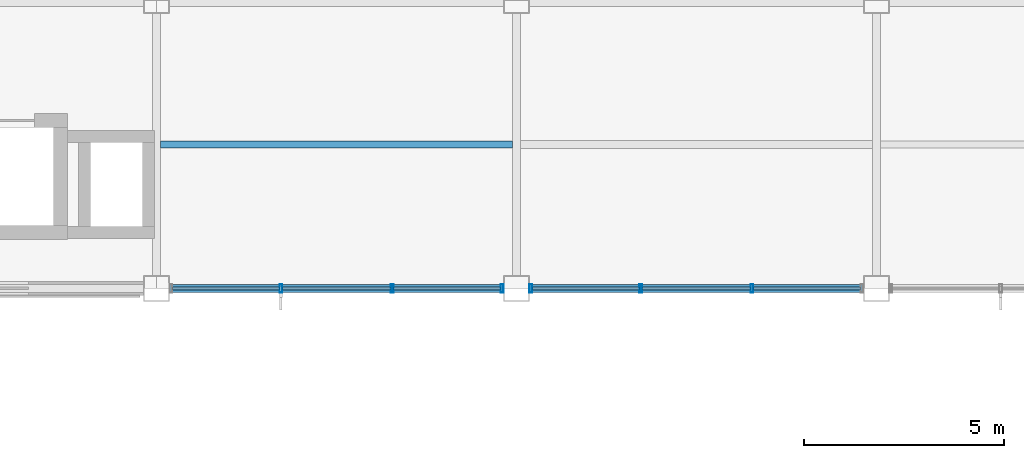
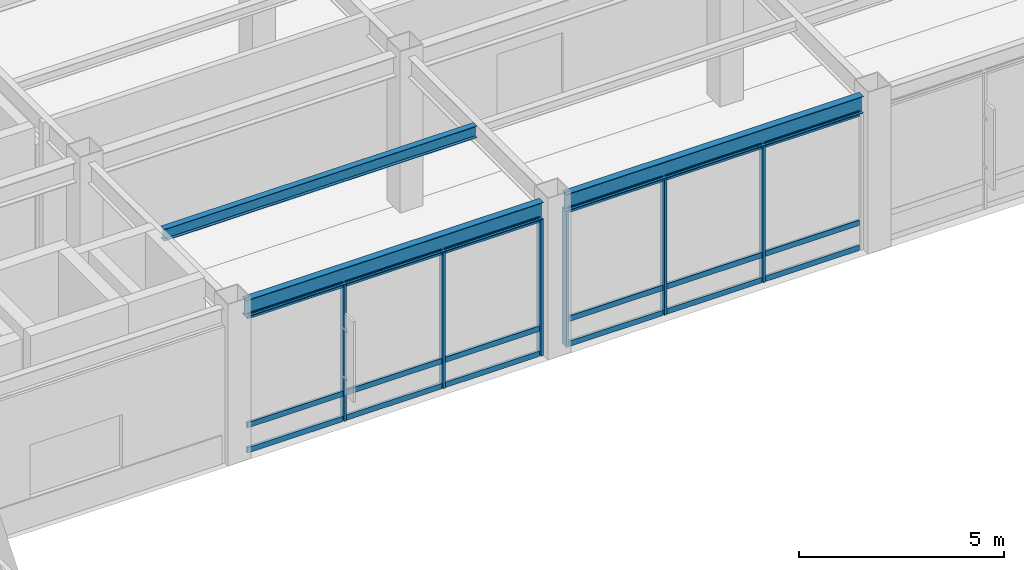
# One storey, part 58 of 112: 24 members, 3 beams, 2 elements without a shape of their own.
"""IFC4 building model written with IfcOpenShell, lengths in metres."""

from ifc_helpers import new_model, si_unit, direction, frame, origin, origin_2d, place, context, subcontext, project, spatial, hollow_rectangle, i_section, extrude, material, material_profile, profile_set, type_object, element, aggregate, save


model = new_model("IFC4")

# Units and contexts
model_context = context("Model", 3, precision=1e-05, world=origin(), true_north=direction((0.0, 1.0)))
body_context = subcontext(model_context, "Body", "Model", "MODEL_VIEW")
ifc_project = project(units=[si_unit("LENGTHUNIT", "METRE"), si_unit("AREAUNIT", "SQUARE_METRE"), si_unit("VOLUMEUNIT", "CUBIC_METRE"), si_unit("PLANEANGLEUNIT", "RADIAN"), si_unit("MASSUNIT", "GRAM", prefix="KILO")], contexts=[model_context])

# Site, building, storey
site_placement = place(None, origin())
site = spatial("IfcSite", under=ifc_project, at=site_placement, CompositionType="ELEMENT")
building_placement = place(site_placement, origin())
building = spatial("IfcBuilding", under=site, at=building_placement, Name="Kazanami Central Library", CompositionType="ELEMENT")
storey_placement = place(building_placement, origin())
storey = spatial("IfcBuildingStorey", under=building, at=storey_placement, Name="L01", CompositionType="ELEMENT", Elevation=0.0)

# Beams
ifc_material_1 = material(Name="Steel SN400B (235 MPa)", Category="steel")
ifc_material_profile_1 = material_profile(ifc_material_1, i_section(OverallWidth=0.175048828125, OverallDepth=0.35009765625, WebThickness=0.007080078125, FlangeThickness=0.010986328125, at=origin_2d()), Name="H-350x175x7x11")
ifc_profile_set_1 = profile_set([ifc_material_profile_1], Name="Steel SN400B (235 MPa)")
beam_type_1 = type_object("IfcBeamType", Name="BM-B-S2", PredefinedType="JOIST", material=ifc_profile_set_1)
beam_placement = place(storey_placement, frame((63.097900390625, 68.39990234375, 4.3798828125), z_axis=(1.0, 0.0, 0.0), x_axis=(0.0, 1.0, 0.0)))
element("IfcBeam", 1, at=beam_placement, inside=storey, type_object=beam_type_1, Name="Composite Secondary Joist B-S2 L01 Bay 8/K.1", PredefinedType="JOIST", context=body_context, shape_type="SweptSolid", body=[
    extrude(i_section(OverallWidth=0.175048828125, OverallDepth=0.35009765625, WebThickness=0.007080078125, FlangeThickness=0.010986328125, at=origin_2d()), origin(), (0.0, 0.0, 1.0), 8.80419921875),
])
ifc_material_2 = material(Name="Steel SN490B (325 MPa)", Category="steel")
ifc_material_profile_2 = material_profile(ifc_material_2, i_section(OverallWidth=0.199951171875, OverallDepth=0.5, WebThickness=0.010009765625, FlangeThickness=0.01611328125, at=origin_2d()), Name="H-500x200x10x16")
ifc_profile_set_2 = profile_set([ifc_material_profile_2], Name="Steel SN490B (325 MPa)")
beam_type_2 = type_object("IfcBeamType", Name="BM-SP-1", PredefinedType="SPANDREL", material=ifc_profile_set_2)
for number, where, z_axis, x_axis, name in (
    (2, (63.322998046875, 64.800048828125, 4.304931640625), (1.0, 0.0, 0.0), (0.0, 1.0, 0.0), "Girder SP-1 L01 K/8-9"),
    (3, (72.322998046875, 64.800048828125, 4.304931640625), (1.0, 0.0, 0.0), (0.0, 1.0, 0.0), "Girder SP-1 L01 K/9-10"),
):
    element("IfcBeam", number, at=place(storey_placement, frame(where, z_axis=z_axis, x_axis=x_axis)), inside=storey, type_object=beam_type_2, Name=name, PredefinedType="SPANDREL", context=body_context, shape_type="SweptSolid", body=[
        extrude(i_section(OverallWidth=0.199951171875, OverallDepth=0.5, WebThickness=0.010009765625, FlangeThickness=0.01611328125, at=origin_2d()), origin(), (0.0, 0.0, 1.0), 8.35400390625),
    ])

# Curtain wall, members
ifc_material_3 = material(Name="Acid-Etched Low-E Laminated Glass", Category="glass")
curtain_wall_type = type_object("IfcCurtainWallType", Name="CW-8350x4055-M275", PredefinedType="USERDEFINED", material=ifc_material_3)
curtain_wall_1_placement = place(storey_placement, origin())
curtain_wall_1 = element("IfcCurtainWall", 4, at=curtain_wall_1_placement, inside=storey, type_object=curtain_wall_type, Name="Unitised Curtain Wall CW-03 L01 S-K-07", ObjectType="UNITISED CURTAIN WALL", PredefinedType="USERDEFINED")
ifc_material_4 = material(Name="Anodised Aluminium A6063-T5", Category="aluminium")
ifc_material_profile_3 = material_profile(ifc_material_4, hollow_rectangle(XDim=0.070068359375, YDim=0.2099609375, WallThickness=0.0048828125, at=origin_2d()), Name="ALU-MULL-70x210x5")
ifc_profile_set_3 = profile_set([ifc_material_profile_3], Name="Anodised Aluminium A6063-T5")
member_type_1 = type_object("IfcMemberType", Name="MEM-CW-M1", PredefinedType="MULLION", material=ifc_profile_set_3)
member_1_placement = place(storey_placement, frame((66.1083984375, 64.800048828125, 0.0), z_axis=(0.0, 0.0, 1.0), x_axis=(1.0, 0.0, 0.0)))
member_1 = element("IfcMember", 5, at=member_1_placement, type_object=member_type_1, Name="CW-03 mullion 2", PredefinedType="MULLION", context=body_context, shape_type="SweptSolid", body=[
    extrude(hollow_rectangle(XDim=0.070068359375, YDim=0.2099609375, WallThickness=0.0048828125, at=origin_2d()), origin(), (0.0, 0.0, 1.0), 4.054931640625),
])
member_2_placement = place(storey_placement, frame((68.8916015625, 64.800048828125, 0.0), z_axis=(0.0, 0.0, 1.0), x_axis=(1.0, 0.0, 0.0)))
member_2 = element("IfcMember", 6, at=member_2_placement, type_object=member_type_1, Name="CW-03 mullion 3", PredefinedType="MULLION", context=body_context, shape_type="SweptSolid", body=[
    extrude(hollow_rectangle(XDim=0.070068359375, YDim=0.2099609375, WallThickness=0.0048828125, at=origin_2d()), origin(), (0.0, 0.0, 1.0), 4.054931640625),
])
member_3_placement = place(storey_placement, frame((71.639892578125, 64.800048828125, 0.0), z_axis=(0.0, 0.0, 1.0), x_axis=(1.0, 0.0, 0.0)))
member_3 = element("IfcMember", 7, at=member_3_placement, type_object=member_type_1, Name="CW-03 mullion 4", PredefinedType="MULLION", context=body_context, shape_type="SweptSolid", body=[
    extrude(hollow_rectangle(XDim=0.070068359375, YDim=0.2099609375, WallThickness=0.0048828125, at=origin_2d()), origin(), (0.0, 0.0, 1.0), 4.054931640625),
])

curtain_wall_2_placement = place(storey_placement, origin())
curtain_wall_2 = element("IfcCurtainWall", 8, at=curtain_wall_2_placement, inside=storey, type_object=curtain_wall_type, Name="Unitised Curtain Wall CW-03 L01 S-K-08", ObjectType="UNITISED CURTAIN WALL", PredefinedType="USERDEFINED")
member_4_placement = place(storey_placement, frame((72.360107421875, 64.800048828125, 0.0), z_axis=(0.0, 0.0, 1.0), x_axis=(1.0, 0.0, 0.0)))
member_4 = element("IfcMember", 9, at=member_4_placement, type_object=member_type_1, Name="CW-03 mullion 1", PredefinedType="MULLION", context=body_context, shape_type="SweptSolid", body=[
    extrude(hollow_rectangle(XDim=0.070068359375, YDim=0.2099609375, WallThickness=0.0048828125, at=origin_2d()), origin(), (0.0, 0.0, 1.0), 4.054931640625),
])
member_5_placement = place(storey_placement, frame((75.1083984375, 64.800048828125, 0.0), z_axis=(0.0, 0.0, 1.0), x_axis=(1.0, 0.0, 0.0)))
member_5 = element("IfcMember", 10, at=member_5_placement, type_object=member_type_1, Name="CW-03 mullion 2", PredefinedType="MULLION", context=body_context, shape_type="SweptSolid", body=[
    extrude(hollow_rectangle(XDim=0.070068359375, YDim=0.2099609375, WallThickness=0.0048828125, at=origin_2d()), origin(), (0.0, 0.0, 1.0), 4.054931640625),
])
member_6_placement = place(storey_placement, frame((77.8916015625, 64.800048828125, 0.0), z_axis=(0.0, 0.0, 1.0), x_axis=(1.0, 0.0, 0.0)))
member_6 = element("IfcMember", 11, at=member_6_placement, type_object=member_type_1, Name="CW-03 mullion 3", PredefinedType="MULLION", context=body_context, shape_type="SweptSolid", body=[
    extrude(hollow_rectangle(XDim=0.070068359375, YDim=0.2099609375, WallThickness=0.0048828125, at=origin_2d()), origin(), (0.0, 0.0, 1.0), 4.054931640625),
])

# Member
ifc_material_profile_4 = material_profile(ifc_material_4, hollow_rectangle(XDim=0.070068359375, YDim=0.159912109375, WallThickness=0.00390625, at=origin_2d()), Name="ALU-TRAN-70x160x4")
ifc_profile_set_4 = profile_set([ifc_material_profile_4], Name="Anodised Aluminium A6063-T5")
member_type_2 = type_object("IfcMemberType", Name="MEM-CW-T1", PredefinedType="USERDEFINED", material=ifc_profile_set_4)
member_7_placement = place(storey_placement, frame((63.39501953125, 64.800048828125, 0.034912109375), z_axis=(1.0, 0.0, 0.0), x_axis=(0.0, 1.0, 0.0)))
member_7 = element("IfcMember", 12, at=member_7_placement, type_object=member_type_2, Name="CW-03 transom 1.1", ObjectType="TRANSOM", PredefinedType="USERDEFINED", context=body_context, shape_type="SweptSolid", body=[
    extrude(hollow_rectangle(XDim=0.070068359375, YDim=0.159912109375, WallThickness=0.00390625, at=origin_2d()), origin(), (0.0, 0.0, 1.0), 2.67822265625),
])

member_8_placement = place(storey_placement, frame((63.39501953125, 64.800048828125, 0.780029296875), z_axis=(1.0, 0.0, 0.0), x_axis=(0.0, 1.0, 0.0)))
member_8 = element("IfcMember", 13, at=member_8_placement, type_object=member_type_2, Name="CW-03 transom 1.2", ObjectType="TRANSOM", PredefinedType="USERDEFINED", context=body_context, shape_type="SweptSolid", body=[
    extrude(hollow_rectangle(XDim=0.070068359375, YDim=0.159912109375, WallThickness=0.00390625, at=origin_2d()), origin(), (0.0, 0.0, 1.0), 2.67822265625),
])

member_9_placement = place(storey_placement, frame((63.39501953125, 64.800048828125, 4.02001953125), z_axis=(1.0, 0.0, 0.0), x_axis=(0.0, 1.0, 0.0)))
member_9 = element("IfcMember", 14, at=member_9_placement, type_object=member_type_2, Name="CW-03 transom 1.3", ObjectType="TRANSOM", PredefinedType="USERDEFINED", context=body_context, shape_type="SweptSolid", body=[
    extrude(hollow_rectangle(XDim=0.070068359375, YDim=0.159912109375, WallThickness=0.00390625, at=origin_2d()), origin(), (0.0, 0.0, 1.0), 2.67822265625),
])

member_10_placement = place(storey_placement, frame((66.143310546875, 64.800048828125, 0.034912109375), z_axis=(1.0, 0.0, 0.0), x_axis=(0.0, 1.0, 0.0)))
member_10 = element("IfcMember", 15, at=member_10_placement, type_object=member_type_2, Name="CW-03 transom 2.1", ObjectType="TRANSOM", PredefinedType="USERDEFINED", context=body_context, shape_type="SweptSolid", body=[
    extrude(hollow_rectangle(XDim=0.070068359375, YDim=0.159912109375, WallThickness=0.00390625, at=origin_2d()), origin(), (0.0, 0.0, 1.0), 2.71337890625),
])

member_11_placement = place(storey_placement, frame((66.143310546875, 64.800048828125, 0.780029296875), z_axis=(1.0, 0.0, 0.0), x_axis=(0.0, 1.0, 0.0)))
member_11 = element("IfcMember", 16, at=member_11_placement, type_object=member_type_2, Name="CW-03 transom 2.2", ObjectType="TRANSOM", PredefinedType="USERDEFINED", context=body_context, shape_type="SweptSolid", body=[
    extrude(hollow_rectangle(XDim=0.070068359375, YDim=0.159912109375, WallThickness=0.00390625, at=origin_2d()), origin(), (0.0, 0.0, 1.0), 2.71337890625),
])

member_12_placement = place(storey_placement, frame((66.143310546875, 64.800048828125, 4.02001953125), z_axis=(1.0, 0.0, 0.0), x_axis=(0.0, 1.0, 0.0)))
member_12 = element("IfcMember", 17, at=member_12_placement, type_object=member_type_2, Name="CW-03 transom 2.3", ObjectType="TRANSOM", PredefinedType="USERDEFINED", context=body_context, shape_type="SweptSolid", body=[
    extrude(hollow_rectangle(XDim=0.070068359375, YDim=0.159912109375, WallThickness=0.00390625, at=origin_2d()), origin(), (0.0, 0.0, 1.0), 2.71337890625),
])

member_13_placement = place(storey_placement, frame((68.9267578125, 64.800048828125, 0.034912109375), z_axis=(1.0, 0.0, 0.0), x_axis=(0.0, 1.0, 0.0)))
member_13 = element("IfcMember", 18, at=member_13_placement, type_object=member_type_2, Name="CW-03 transom 3.1", ObjectType="TRANSOM", PredefinedType="USERDEFINED", context=body_context, shape_type="SweptSolid", body=[
    extrude(hollow_rectangle(XDim=0.070068359375, YDim=0.159912109375, WallThickness=0.00390625, at=origin_2d()), origin(), (0.0, 0.0, 1.0), 2.67822265625),
])

member_14_placement = place(storey_placement, frame((68.9267578125, 64.800048828125, 0.780029296875), z_axis=(1.0, 0.0, 0.0), x_axis=(0.0, 1.0, 0.0)))
member_14 = element("IfcMember", 19, at=member_14_placement, type_object=member_type_2, Name="CW-03 transom 3.2", ObjectType="TRANSOM", PredefinedType="USERDEFINED", context=body_context, shape_type="SweptSolid", body=[
    extrude(hollow_rectangle(XDim=0.070068359375, YDim=0.159912109375, WallThickness=0.00390625, at=origin_2d()), origin(), (0.0, 0.0, 1.0), 2.67822265625),
])

member_15_placement = place(storey_placement, frame((68.9267578125, 64.800048828125, 4.02001953125), z_axis=(1.0, 0.0, 0.0), x_axis=(0.0, 1.0, 0.0)))
member_15 = element("IfcMember", 20, at=member_15_placement, type_object=member_type_2, Name="CW-03 transom 3.3", ObjectType="TRANSOM", PredefinedType="USERDEFINED", context=body_context, shape_type="SweptSolid", body=[
    extrude(hollow_rectangle(XDim=0.070068359375, YDim=0.159912109375, WallThickness=0.00390625, at=origin_2d()), origin(), (0.0, 0.0, 1.0), 2.67822265625),
])

aggregate(curtain_wall_1, [member_1, member_2, member_3, member_7, member_8, member_9, member_10, member_11, member_12, member_13, member_14, member_15])

member_16_placement = place(storey_placement, frame((72.39501953125, 64.800048828125, 0.034912109375), z_axis=(1.0, 0.0, 0.0), x_axis=(0.0, 1.0, 0.0)))
member_16 = element("IfcMember", 21, at=member_16_placement, type_object=member_type_2, Name="CW-03 transom 1.1", ObjectType="TRANSOM", PredefinedType="USERDEFINED", context=body_context, shape_type="SweptSolid", body=[
    extrude(hollow_rectangle(XDim=0.070068359375, YDim=0.159912109375, WallThickness=0.00390625, at=origin_2d()), origin(), (0.0, 0.0, 1.0), 2.67822265625),
])

member_17_placement = place(storey_placement, frame((72.39501953125, 64.800048828125, 0.780029296875), z_axis=(1.0, 0.0, 0.0), x_axis=(0.0, 1.0, 0.0)))
member_17 = element("IfcMember", 22, at=member_17_placement, type_object=member_type_2, Name="CW-03 transom 1.2", ObjectType="TRANSOM", PredefinedType="USERDEFINED", context=body_context, shape_type="SweptSolid", body=[
    extrude(hollow_rectangle(XDim=0.070068359375, YDim=0.159912109375, WallThickness=0.00390625, at=origin_2d()), origin(), (0.0, 0.0, 1.0), 2.67822265625),
])

member_18_placement = place(storey_placement, frame((72.39501953125, 64.800048828125, 4.02001953125), z_axis=(1.0, 0.0, 0.0), x_axis=(0.0, 1.0, 0.0)))
member_18 = element("IfcMember", 23, at=member_18_placement, type_object=member_type_2, Name="CW-03 transom 1.3", ObjectType="TRANSOM", PredefinedType="USERDEFINED", context=body_context, shape_type="SweptSolid", body=[
    extrude(hollow_rectangle(XDim=0.070068359375, YDim=0.159912109375, WallThickness=0.00390625, at=origin_2d()), origin(), (0.0, 0.0, 1.0), 2.67822265625),
])

member_19_placement = place(storey_placement, frame((75.143310546875, 64.800048828125, 0.034912109375), z_axis=(1.0, 0.0, 0.0), x_axis=(0.0, 1.0, 0.0)))
member_19 = element("IfcMember", 24, at=member_19_placement, type_object=member_type_2, Name="CW-03 transom 2.1", ObjectType="TRANSOM", PredefinedType="USERDEFINED", context=body_context, shape_type="SweptSolid", body=[
    extrude(hollow_rectangle(XDim=0.070068359375, YDim=0.159912109375, WallThickness=0.00390625, at=origin_2d()), origin(), (0.0, 0.0, 1.0), 2.71337890625),
])

member_20_placement = place(storey_placement, frame((75.143310546875, 64.800048828125, 0.780029296875), z_axis=(1.0, 0.0, 0.0), x_axis=(0.0, 1.0, 0.0)))
member_20 = element("IfcMember", 25, at=member_20_placement, type_object=member_type_2, Name="CW-03 transom 2.2", ObjectType="TRANSOM", PredefinedType="USERDEFINED", context=body_context, shape_type="SweptSolid", body=[
    extrude(hollow_rectangle(XDim=0.070068359375, YDim=0.159912109375, WallThickness=0.00390625, at=origin_2d()), origin(), (0.0, 0.0, 1.0), 2.71337890625),
])

member_21_placement = place(storey_placement, frame((75.143310546875, 64.800048828125, 4.02001953125), z_axis=(1.0, 0.0, 0.0), x_axis=(0.0, 1.0, 0.0)))
member_21 = element("IfcMember", 26, at=member_21_placement, type_object=member_type_2, Name="CW-03 transom 2.3", ObjectType="TRANSOM", PredefinedType="USERDEFINED", context=body_context, shape_type="SweptSolid", body=[
    extrude(hollow_rectangle(XDim=0.070068359375, YDim=0.159912109375, WallThickness=0.00390625, at=origin_2d()), origin(), (0.0, 0.0, 1.0), 2.71337890625),
])

member_22_placement = place(storey_placement, frame((77.9267578125, 64.800048828125, 0.034912109375), z_axis=(1.0, 0.0, 0.0), x_axis=(0.0, 1.0, 0.0)))
member_22 = element("IfcMember", 27, at=member_22_placement, type_object=member_type_2, Name="CW-03 transom 3.1", ObjectType="TRANSOM", PredefinedType="USERDEFINED", context=body_context, shape_type="SweptSolid", body=[
    extrude(hollow_rectangle(XDim=0.070068359375, YDim=0.159912109375, WallThickness=0.00390625, at=origin_2d()), origin(), (0.0, 0.0, 1.0), 2.67822265625),
])

member_23_placement = place(storey_placement, frame((77.9267578125, 64.800048828125, 0.780029296875), z_axis=(1.0, 0.0, 0.0), x_axis=(0.0, 1.0, 0.0)))
member_23 = element("IfcMember", 28, at=member_23_placement, type_object=member_type_2, Name="CW-03 transom 3.2", ObjectType="TRANSOM", PredefinedType="USERDEFINED", context=body_context, shape_type="SweptSolid", body=[
    extrude(hollow_rectangle(XDim=0.070068359375, YDim=0.159912109375, WallThickness=0.00390625, at=origin_2d()), origin(), (0.0, 0.0, 1.0), 2.67822265625),
])

member_24_placement = place(storey_placement, frame((77.9267578125, 64.800048828125, 4.02001953125), z_axis=(1.0, 0.0, 0.0), x_axis=(0.0, 1.0, 0.0)))
member_24 = element("IfcMember", 29, at=member_24_placement, type_object=member_type_2, Name="CW-03 transom 3.3", ObjectType="TRANSOM", PredefinedType="USERDEFINED", context=body_context, shape_type="SweptSolid", body=[
    extrude(hollow_rectangle(XDim=0.070068359375, YDim=0.159912109375, WallThickness=0.00390625, at=origin_2d()), origin(), (0.0, 0.0, 1.0), 2.67822265625),
])

aggregate(curtain_wall_2, [member_4, member_5, member_6, member_16, member_17, member_18, member_19, member_20, member_21, member_22, member_23, member_24])

save(model, "model.ifc")
